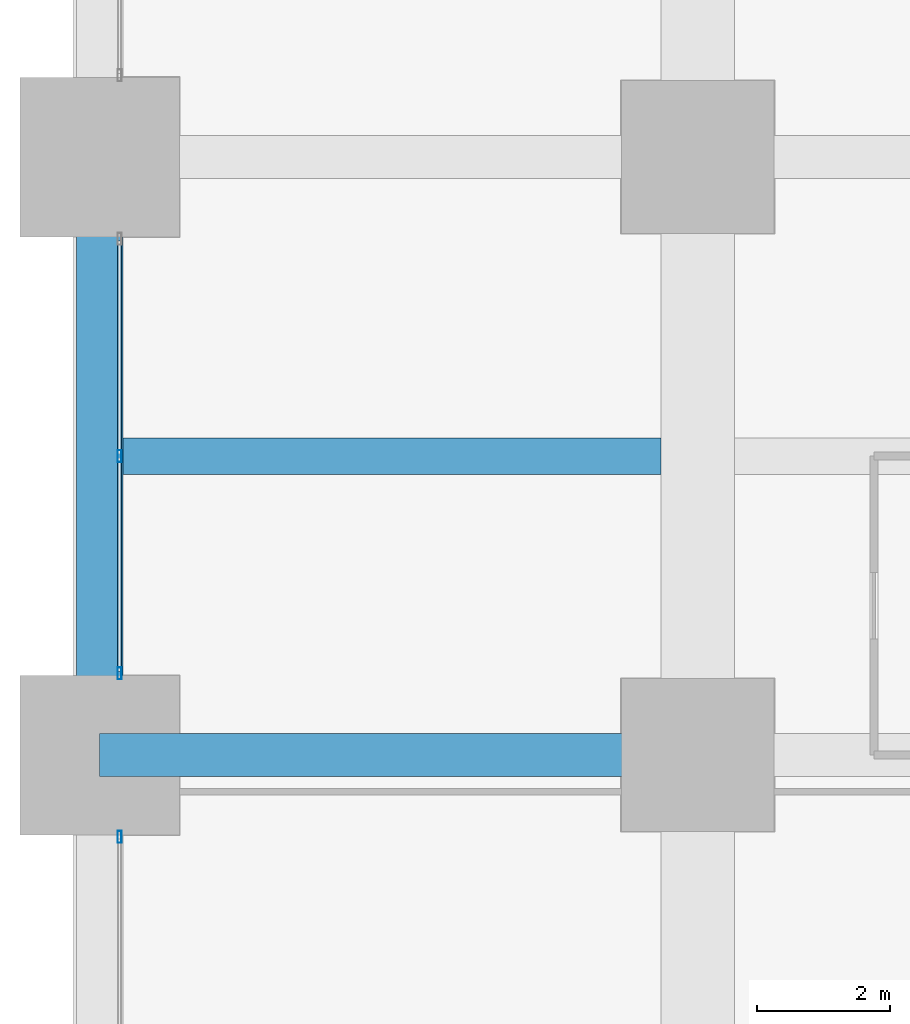
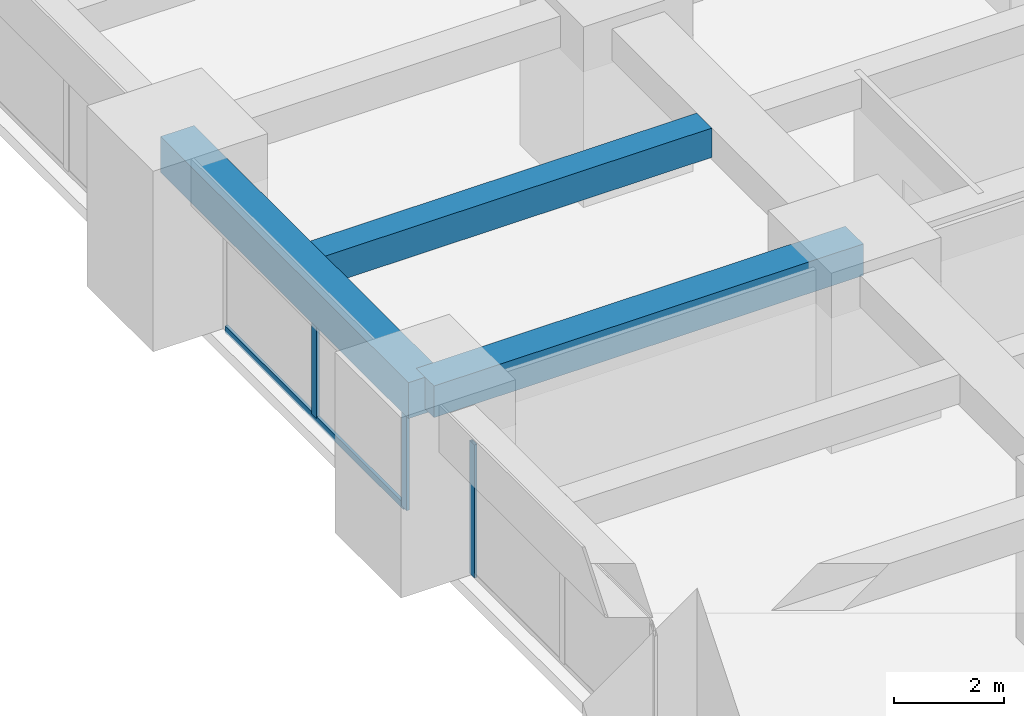
# One storey, part 9 of 44: 4 members, 3 beams, 2 elements without a shape of their own.
"""IFC4 building model written with IfcOpenShell, lengths in metres."""

from ifc_helpers import new_model, si_unit, direction, frame, origin, origin_2d, place, context, subcontext, project, spatial, rectangle, hollow_rectangle, extrude, material, material_profile, profile_set, type_object, element, aggregate, save


model = new_model("IFC4")

# Units and contexts
model_context = context("Model", 3, precision=1e-05, world=origin(), true_north=direction((0.0, 1.0)))
body_context = subcontext(model_context, "Body", "Model", "MODEL_VIEW")
ifc_project = project(units=[si_unit("LENGTHUNIT", "METRE"), si_unit("AREAUNIT", "SQUARE_METRE"), si_unit("VOLUMEUNIT", "CUBIC_METRE"), si_unit("PLANEANGLEUNIT", "RADIAN"), si_unit("MASSUNIT", "GRAM", prefix="KILO")], contexts=[model_context])

# Site, building, storey
site_placement = place(None, origin())
site = spatial("IfcSite", under=ifc_project, at=site_placement, CompositionType="ELEMENT")
building_placement = place(site_placement, origin())
building = spatial("IfcBuilding", under=site, at=building_placement, Name="Zorevar Civic Tower", CompositionType="ELEMENT")
storey_placement = place(building_placement, frame((0.0, 0.0, 43.800048828125)))
storey = spatial("IfcBuildingStorey", under=building, at=storey_placement, Name="L10", CompositionType="ELEMENT", Elevation=43.800048828125)

# Beams
ifc_material_1 = material(Name="Concrete C50/60", Category="concrete")
ifc_material_profile_1 = material_profile(ifc_material_1, rectangle(XDim=0.550048828125, YDim=0.64990234375, at=origin_2d()), Name="RC 550x650")
ifc_profile_set_1 = profile_set([ifc_material_profile_1], Name="Concrete C50/60")
beam_type_1 = type_object("IfcBeamType", Name="Beam RC 550x650", PredefinedType="BEAM", material=ifc_profile_set_1)
beam_1_placement = place(storey_placement, frame((0.35009765625, 22.5, 3.425048828125), z_axis=(1.0, 0.0, 0.0), x_axis=(0.0, 1.0, 0.0)))
element("IfcBeam", 1, at=beam_1_placement, inside=storey, type_object=beam_type_1, Name="Secondary beam L11", PredefinedType="BEAM", context=body_context, shape_type="SweptSolid", body=[
    extrude(rectangle(XDim=0.550048828125, YDim=0.64990234375, at=origin_2d()), origin(), (0.0, 0.0, 1.0), 8.099853515625),
])
ifc_material_2 = material(Name="Concrete C50/60", Category="concrete")
ifc_material_profile_2 = material_profile(ifc_material_2, rectangle(XDim=0.64990234375, YDim=0.699951171875, at=origin_2d()), Name="RC 650x700")
ifc_profile_set_2 = profile_set([ifc_material_profile_2], Name="Concrete C50/60")
beam_type_2 = type_object("IfcBeamType", Name="Beam RC 650x700", PredefinedType="BEAM", material=ifc_profile_set_2)
beam_2_placement = place(storey_placement, frame((0.0, 18.0, 3.39990234375), z_axis=(1.0, 0.0, 0.0), x_axis=(0.0, 1.0, 0.0)))
element("IfcBeam", 2, at=beam_2_placement, inside=storey, type_object=beam_type_2, Name="Girder L11", PredefinedType="BEAM", context=body_context, shape_type="SweptSolid", body=[
    extrude(rectangle(XDim=0.64990234375, YDim=0.699951171875, at=origin_2d()), origin(), (0.0, 0.0, 1.0), 9.0),
])

# Curtain wall, member
ifc_material_3 = material(Name="Dark grey solar-control glass in black aluminium frame", Category="aluminium")
curtain_wall_type = type_object("IfcCurtainWallType", Name="Curtain wall CW2 low zone", PredefinedType="NOTDEFINED", material=ifc_material_3)
curtain_wall_1_placement = place(storey_placement, origin())
curtain_wall_1 = element("IfcCurtainWall", 3, at=curtain_wall_1_placement, inside=storey, type_object=curtain_wall_type, Name="CW2 L10", PredefinedType="NOTDEFINED")
ifc_material_4 = material(Name="Aluminium, black anodised", Category="aluminium")
ifc_material_profile_3 = material_profile(ifc_material_4, hollow_rectangle(XDim=0.06005859375, YDim=0.179931640625, WallThickness=0.00390625, at=origin_2d()), Name="AL 180x60x4")
ifc_profile_set_3 = profile_set([ifc_material_profile_3], Name="Aluminium, black anodised")
member_type_1 = type_object("IfcMemberType", Name="CW2 mullion AL 180x60x4", PredefinedType="MULLION", material=ifc_profile_set_3)
member_1_placement = place(storey_placement, frame((0.300048828125, 16.77001953125, 0.0), z_axis=(0.0, 0.0, 1.0), x_axis=(-1.0, 0.0, 0.0)))
member_1 = element("IfcMember", 4, at=member_1_placement, type_object=member_type_1, Name="CW2 mullion 3", PredefinedType="MULLION", context=body_context, shape_type="SweptSolid", body=[
    extrude(hollow_rectangle(XDim=0.06005859375, YDim=0.179931640625, WallThickness=0.00390625, at=origin_2d()), origin(), (0.0, 0.0, 1.0), 2.949951171875),
])
aggregate(curtain_wall_1, [member_1])

# Curtain wall, members
curtain_wall_2_placement = place(storey_placement, origin())
curtain_wall_2 = element("IfcCurtainWall", 5, at=curtain_wall_2_placement, inside=storey, type_object=curtain_wall_type, Name="CW2 L10", PredefinedType="NOTDEFINED")
member_2_placement = place(storey_placement, frame((0.300048828125, 19.22998046875, 0.0), z_axis=(0.0, 0.0, 1.0), x_axis=(-1.0, 0.0, 0.0)))
member_2 = element("IfcMember", 6, at=member_2_placement, type_object=member_type_1, Name="CW2 mullion 1", PredefinedType="MULLION", context=body_context, shape_type="SweptSolid", body=[
    extrude(hollow_rectangle(XDim=0.06005859375, YDim=0.179931640625, WallThickness=0.00390625, at=origin_2d()), origin(), (0.0, 0.0, 1.0), 2.949951171875),
])
member_3_placement = place(storey_placement, frame((0.300048828125, 22.5, 0.06005859375), z_axis=(0.0, 0.0, 1.0), x_axis=(-1.0, 0.0, 0.0)))
member_3 = element("IfcMember", 7, at=member_3_placement, type_object=member_type_1, Name="CW2 mullion 2", PredefinedType="MULLION", context=body_context, shape_type="SweptSolid", body=[
    extrude(hollow_rectangle(XDim=0.06005859375, YDim=0.179931640625, WallThickness=0.00390625, at=origin_2d()), origin(), (0.0, 0.0, 1.0), 2.889892578125),
])
ifc_material_5 = material(Name="Aluminium, black anodised", Category="aluminium")
ifc_material_profile_4 = material_profile(ifc_material_5, hollow_rectangle(XDim=0.06005859375, YDim=0.14990234375, WallThickness=0.00390625, at=origin_2d()), Name="AL 150x60x4")
ifc_profile_set_4 = profile_set([ifc_material_profile_4], Name="Aluminium, black anodised")
member_type_2 = type_object("IfcMemberType", Name="CW2 transom AL 150x60x4", PredefinedType="USERDEFINED", material=ifc_profile_set_4)
member_4_placement = place(storey_placement, frame((0.300048828125, 19.260009765625, 0.030029296875), z_axis=(0.0, 1.0, 0.0), x_axis=(-1.0, 0.0, 0.0)))
member_4 = element("IfcMember", 8, at=member_4_placement, type_object=member_type_2, Name="CW2 sill transom", ObjectType="TRANSOM", PredefinedType="USERDEFINED", context=body_context, shape_type="SweptSolid", body=[
    extrude(hollow_rectangle(XDim=0.06005859375, YDim=0.14990234375, WallThickness=0.00390625, at=origin_2d()), origin(), (0.0, 0.0, 1.0), 6.47998046875),
])
aggregate(curtain_wall_2, [member_2, member_3, member_4])

# Beam
ifc_material_6 = material(Name="Concrete C50/60", Category="concrete")
ifc_material_profile_5 = material_profile(ifc_material_6, rectangle(XDim=0.699951171875, YDim=0.800048828125, at=origin_2d()), Name="RC 700x800")
ifc_profile_set_5 = profile_set([ifc_material_profile_5], Name="Concrete C50/60")
beam_type_3 = type_object("IfcBeamType", Name="Edge beam RC 700x800", PredefinedType="SPANDREL", material=ifc_profile_set_5)
beam_3_placement = place(storey_placement, frame((0.0, 18.0, 3.349853515625), z_axis=(0.0, 1.0, 0.0), x_axis=(-1.0, 0.0, 0.0)))
element("IfcBeam", 9, at=beam_3_placement, inside=storey, type_object=beam_type_3, Name="Edge beam L11", PredefinedType="SPANDREL", context=body_context, shape_type="SweptSolid", body=[
    extrude(rectangle(XDim=0.699951171875, YDim=0.800048828125, at=origin_2d()), origin(), (0.0, 0.0, 1.0), 9.0),
])

save(model, "model.ifc")
